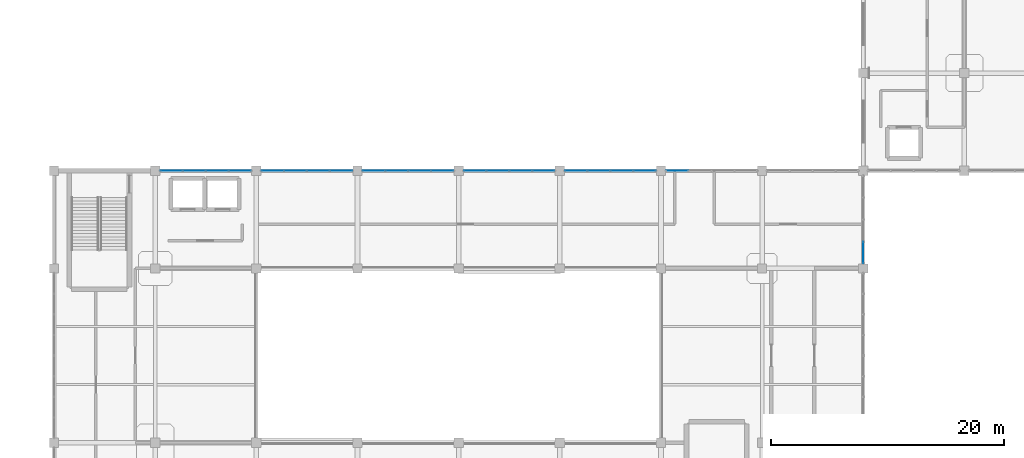
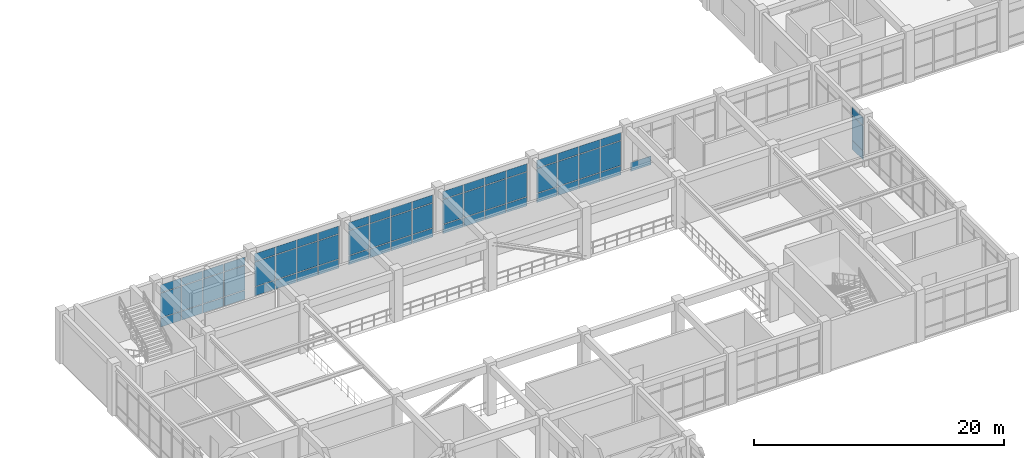
# One storey, part 73 of 96: 64 plates, 7 elements without a shape of their own.
"""IFC4 building model written with IfcOpenShell, lengths in metres."""

import ifcopenshell
import ifcopenshell.guid

model = None  # the IFC model being written
_history = None  # IfcOwnerHistory: only IFC2X3 demands one
_inside = {}  # id of a spatial element -> (the spatial element, [elements in it])
_under = {}  # id of a project, library or spatial element -> (it, [spatial elements below it])
_declared = {}  # id of a project -> (the project, [libraries it declares])
_typed = {}  # id of a type object -> (the type object, [elements of that type])
_made_of = {}  # id of a material, layer set ... -> (it, [elements and type objects made of it])


def new_model(schema):
    """Start an empty IFC model of exactly this schema.

    Asked for "IFC4X3", IfcOpenShell would pick the latest addendum, in which some entities
    have other attributes; the version numbers below select the first issue.
    IFC2X3 requires an IfcOwnerHistory on every rooted entity: one is made here for all.
    """
    global model, _history
    if schema == "IFC4X3":
        model = ifcopenshell.file(schema_version=(4, 3, 0, 0))
    else:
        model = ifcopenshell.file(schema=schema)
    _inside.clear()
    _under.clear()
    _declared.clear()
    _typed.clear()
    _made_of.clear()
    _history = None
    if model.schema == "IFC2X3":
        org = make("IfcOrganization", Name="unknown")
        user = make(
            "IfcPersonAndOrganization",
            ThePerson=make("IfcPerson", FamilyName="unknown"),
            TheOrganization=org,
        )
        app = make(
            "IfcApplication",
            ApplicationDeveloper=org,
            Version="unknown",
            ApplicationFullName="unknown",
            ApplicationIdentifier="unknown",
        )
        _history = make(
            "IfcOwnerHistory",
            OwningUser=user,
            OwningApplication=app,
            ChangeAction="ADDED",
            CreationDate=0,
        )
    return model


def make(cls, **values):
    """One entity of the class cls with the attributes given. An attribute that is None is left unset."""
    return model.create_entity(
        cls, **{name: value for name, value in values.items() if value is not None}
    )


def rooted(cls, **values):
    """An entity with a GlobalId (a new one), such as an element, a storey or a relation."""
    return make(cls, GlobalId=ifcopenshell.guid.new(), OwnerHistory=_history, **values)


def si_unit(unit_type, name, prefix=None):
    """IfcSIUnit, for example si_unit("LENGTHUNIT", "METRE", prefix="MILLI")."""
    return make("IfcSIUnit", UnitType=unit_type, Prefix=prefix, Name=name)


def derived_unit(unit_type, elements):
    """IfcDerivedUnit: a product of units, each with its exponent."""
    return make(
        "IfcDerivedUnit",
        Elements=[
            make("IfcDerivedUnitElement", Unit=unit, Exponent=power)
            for unit, power in elements
        ],
        UnitType=unit_type,
    )


def assignment(units):
    """IfcUnitAssignment: the units of a project."""
    return None if units is None else make("IfcUnitAssignment", Units=units)


def point(xyz):
    """IfcCartesianPoint."""
    return None if xyz is None else make("IfcCartesianPoint", Coordinates=xyz)


def direction(xyz):
    """IfcDirection."""
    return None if xyz is None else make("IfcDirection", DirectionRatios=xyz)


def frame(location, z_axis=None, x_axis=None):
    """IfcAxis2Placement3D, a coordinate frame: its origin and axes. An axis left out is left unset."""
    return make(
        "IfcAxis2Placement3D",
        Location=point(location),
        Axis=direction(z_axis),
        RefDirection=direction(x_axis),
    )


def frame_2d(location, x_axis=None):
    """IfcAxis2Placement2D, a coordinate frame in the plane: its origin and x axis."""
    return make(
        "IfcAxis2Placement2D", Location=point(location), RefDirection=direction(x_axis)
    )


def origin():
    """The frame at (0, 0, 0) with its axes left unset."""
    return frame((0.0, 0.0, 0.0))


def origin_2d():
    """The frame at (0, 0) in the plane with its x axis left unset."""
    return frame_2d((0.0, 0.0))


def place(relative_to, where):
    """IfcLocalPlacement: puts the frame where relative to a parent placement (None: the world)."""
    return make(
        "IfcLocalPlacement", PlacementRelTo=relative_to, RelativePlacement=where
    )


def context(
    kind, dimensions, precision=None, world=None, true_north=None, identifier=None
):
    """IfcGeometricRepresentationContext, for example the 3D "Model" context."""
    return make(
        "IfcGeometricRepresentationContext",
        ContextIdentifier=identifier,
        ContextType=kind,
        CoordinateSpaceDimension=dimensions,
        Precision=precision,
        WorldCoordinateSystem=world,
        TrueNorth=true_north,
    )


def subcontext(parent, identifier, kind, view, scale=None):
    """IfcGeometricRepresentationSubContext, for example "Body" below "Model"."""
    return make(
        "IfcGeometricRepresentationSubContext",
        ContextIdentifier=identifier,
        ContextType=kind,
        ParentContext=parent,
        TargetScale=scale,
        TargetView=view,
    )


def project(units=None, contexts=None):
    """IfcProject with its units and contexts."""
    return rooted(
        "IfcProject",
        Name="project",
        RepresentationContexts=contexts,
        UnitsInContext=assignment(units),
    )


def spatial(cls, under=None, at=None, **own):
    """A site, building, storey or space (cls), placed at a placement, below another one or the project."""
    s = rooted(cls, ObjectPlacement=at, **own)
    if under is not None:
        _under.setdefault(under.id(), (under, []))[1].append(s)
    return s


def profile(cls, at=None, kind="AREA", **sizes):
    """A parametric profile (cls). Its sizes go by their IFC names, for example OverallWidth=200.0."""
    return make(cls, ProfileType=kind, Position=at, **sizes)


def rectangle(**sizes):
    """IfcRectangleProfileDef."""
    return profile("IfcRectangleProfileDef", **sizes)


def extrude(swept, where, along, depth):
    """IfcExtrudedAreaSolid: the profile swept, set in the frame where, extruded along a direction by depth."""
    return make(
        "IfcExtrudedAreaSolid",
        SweptArea=swept,
        Position=where,
        ExtrudedDirection=direction(along),
        Depth=depth,
    )


def shape(context_of_items, identifier, shape_type, items):
    """IfcShapeRepresentation: the items that make up one representation, for example the "Body"."""
    return make(
        "IfcShapeRepresentation",
        ContextOfItems=context_of_items,
        RepresentationIdentifier=identifier,
        RepresentationType=shape_type,
        Items=items,
    )


def material(Name=None, Category=None):
    """IfcMaterial."""
    return make("IfcMaterial", Name=Name, Category=Category)


def layer(
    of_material, thickness, ventilated=None, Name=None, Category=None, Priority=None
):
    """IfcMaterialLayer: one layer of a wall or slab, of a material (None: an air gap)."""
    return make(
        "IfcMaterialLayer",
        Material=of_material,
        LayerThickness=thickness,
        IsVentilated=ventilated,
        Name=Name,
        Category=Category,
        Priority=Priority,
    )


def layer_set(layers, Name=None):
    """IfcMaterialLayerSet."""
    return make("IfcMaterialLayerSet", MaterialLayers=layers, LayerSetName=Name)


def made_of(thing, what):
    """Note that an element or type object is made of a material, layer set ...; save() writes the relation."""
    if what is not None:
        _made_of.setdefault(what.id(), (what, []))[1].append(thing)
    return thing


def type_object(cls, material=None, **own):
    """A type object (cls), such as IfcWallType, which elements share."""
    return made_of(rooted(cls, **own), material)


def element(
    cls,
    number,
    at=None,
    inside=None,
    cuts=None,
    type_object=None,
    material=None,
    context=None,
    identifier="Body",
    shape_type=None,
    held_by="IfcProductDefinitionShape",
    body=None,
    shapes=None,
    **own,
):
    """One element of the class cls, such as IfcWall. Its Tag is "e" and its number.

    at: its placement. inside: the storey or other place that contains it. cuts: it is an
    opening in that element (IfcRelVoidsElement). A single representation is given by context,
    identifier, shape_type and body (its items); several are given by shapes. held_by: the class
    of the entity that holds the representations. save() writes the other relations.
    """
    e = rooted(cls, Tag="e%d" % number, ObjectPlacement=at, **own)
    if body is not None:
        shapes = [shape(context, identifier, shape_type, body)]
    if shapes is not None:
        e.Representation = make(held_by, Representations=shapes)
    if inside is not None:
        _inside.setdefault(inside.id(), (inside, []))[1].append(e)
    if cuts is not None:
        rooted(
            "IfcRelVoidsElement", RelatingBuildingElement=cuts, RelatedOpeningElement=e
        )
    if type_object is not None:
        _typed.setdefault(type_object.id(), (type_object, []))[1].append(e)
    return made_of(e, material)


def aggregate(whole, parts):
    """IfcRelAggregates: a whole, such as a stair, and the parts it consists of."""
    return rooted("IfcRelAggregates", RelatingObject=whole, RelatedObjects=parts)


def save(model, path):
    """Write the relations noted so far, then the file.

    IfcRelAggregates (storeys below a building ...), IfcRelContainedInSpatialStructure (elements
    in a storey), IfcRelDefinesByType, IfcRelAssociatesMaterial and IfcRelDeclares: one each for
    every whole, place, type object, material and project.
    """
    for whole, parts in _under.values():
        aggregate(whole, parts)
    for where, things in _inside.values():
        rooted(
            "IfcRelContainedInSpatialStructure",
            RelatedElements=things,
            RelatingStructure=where,
        )
    for kind, things in _typed.values():
        rooted("IfcRelDefinesByType", RelatedObjects=things, RelatingType=kind)
    for what, things in _made_of.values():
        rooted("IfcRelAssociatesMaterial", RelatedObjects=things, RelatingMaterial=what)
    for by, libraries in _declared.values():
        rooted("IfcRelDeclares", RelatingContext=by, RelatedDefinitions=libraries)
    model.write(path)


model = new_model("IFC4")

# Units and contexts
model_context = context("Model", 3, precision=1e-05, world=origin(), true_north=direction((0.0, 1.0)))
body_context = subcontext(model_context, "Body", "Model", "MODEL_VIEW")
ifc_project = project(units=[si_unit("LENGTHUNIT", "METRE"), si_unit("AREAUNIT", "SQUARE_METRE"), si_unit("VOLUMEUNIT", "CUBIC_METRE"), si_unit("PLANEANGLEUNIT", "RADIAN"), si_unit("MASSUNIT", "GRAM", prefix="KILO"), derived_unit("THERMALTRANSMITTANCEUNIT", [(si_unit("MASSUNIT", "GRAM", prefix="KILO"), 1), (si_unit("TIMEUNIT", "SECOND"), -3), (si_unit("THERMODYNAMICTEMPERATUREUNIT", "KELVIN"), -1)])], contexts=[model_context])

# Site, building, storey
site_placement = place(None, origin())
site = spatial("IfcSite", under=ifc_project, at=site_placement, CompositionType="ELEMENT")
building_placement = place(site_placement, origin())
building = spatial("IfcBuilding", under=site, at=building_placement, Name="Qinzheling Arcade Emporium", CompositionType="ELEMENT")
storey_placement = place(building_placement, frame((0.0, 0.0, 21.60009765625)))
storey = spatial("IfcBuildingStorey", under=building, at=storey_placement, Name="L05", CompositionType="ELEMENT", Elevation=21.60009765625)

# Curtain wall, plates
ifc_material_1 = material(Name="Anodised aluminium and solar-control double glazing", Category="aluminium")
ifc_layer_1 = layer(ifc_material_1, 0.159912109375, Name="Anodised aluminium and solar-control double glazing", Category="aluminium")
ifc_layer_set_1 = layer_set([ifc_layer_1], Name="Anodised aluminium and solar-control double glazing")
curtain_wall_type = type_object("IfcCurtainWallType", Name="Atrium Clerestory Curtain Wall", PredefinedType="NOTDEFINED", material=ifc_layer_set_1)
curtain_wall_1_placement = place(storey_placement, origin())
curtain_wall_1 = element("IfcCurtainWall", 1, at=curtain_wall_1_placement, inside=storey, type_object=curtain_wall_type, Name="Curtain Wall CW-L05-319", PredefinedType="NOTDEFINED")
ifc_material_2 = material(Name="Laminated solar-control double glazing", Category="glass")
ifc_layer_2 = layer(ifc_material_2, 0.02490234375, Name="Laminated solar-control double glazing", Category="glass")
ifc_layer_set_2 = layer_set([ifc_layer_2], Name="Laminated solar-control double glazing")
plate_type_1 = type_object("IfcPlateType", Name="Low-E Double Glazed Curtain Panel 25mm", PredefinedType="CURTAIN_PANEL", material=ifc_layer_set_2)
plate_1_placement = place(storey_placement, frame((44.904052734375, 73.800048828125, 0.06005859375), z_axis=(0.0, 0.0, 1.0), x_axis=(1.0, 0.0, 0.0)))
plate_1 = element("IfcPlate", 2, at=plate_1_placement, type_object=plate_type_1, Name="CW03 panel 1.1", PredefinedType="CURTAIN_PANEL", context=body_context, shape_type="SweptSolid", body=[
    extrude(rectangle(XDim=1.884033203125, YDim=0.02490234375, at=origin_2d()), origin(), (0.0, 0.0, 1.0), 0.860107421875),
])
plate_2_placement = place(storey_placement, frame((44.904052734375, 73.800048828125, 0.97998046875), z_axis=(0.0, 0.0, 1.0), x_axis=(1.0, 0.0, 0.0)))
plate_2 = element("IfcPlate", 3, at=plate_2_placement, type_object=plate_type_1, Name="CW03 panel 1.2", PredefinedType="CURTAIN_PANEL", context=body_context, shape_type="SweptSolid", body=[
    extrude(rectangle(XDim=1.884033203125, YDim=0.02490234375, at=origin_2d()), origin(), (0.0, 0.0, 1.0), 2.39501953125),
])
plate_3_placement = place(storey_placement, frame((44.904052734375, 73.800048828125, 3.43505859375), z_axis=(0.0, 0.0, 1.0), x_axis=(1.0, 0.0, 0.0)))
plate_3 = element("IfcPlate", 4, at=plate_3_placement, type_object=plate_type_1, Name="CW03 panel 1.3", PredefinedType="CURTAIN_PANEL", context=body_context, shape_type="SweptSolid", body=[
    extrude(rectangle(XDim=1.884033203125, YDim=0.02490234375, at=origin_2d()), origin(), (0.0, 0.0, 1.0), 0.760009765625),
])
plate_4_placement = place(storey_placement, frame((46.863037109375, 73.800048828125, 0.06005859375), z_axis=(0.0, 0.0, 1.0), x_axis=(1.0, 0.0, 0.0)))
plate_4 = element("IfcPlate", 5, at=plate_4_placement, type_object=plate_type_1, Name="CW03 panel 2.1", PredefinedType="CURTAIN_PANEL", context=body_context, shape_type="SweptSolid", body=[
    extrude(rectangle(XDim=1.9140625, YDim=0.02490234375, at=origin_2d()), origin(), (0.0, 0.0, 1.0), 0.860107421875),
])
plate_5_placement = place(storey_placement, frame((46.863037109375, 73.800048828125, 0.97998046875), z_axis=(0.0, 0.0, 1.0), x_axis=(1.0, 0.0, 0.0)))
plate_5 = element("IfcPlate", 6, at=plate_5_placement, type_object=plate_type_1, Name="CW03 panel 2.2", PredefinedType="CURTAIN_PANEL", context=body_context, shape_type="SweptSolid", body=[
    extrude(rectangle(XDim=1.9140625, YDim=0.02490234375, at=origin_2d()), origin(), (0.0, 0.0, 1.0), 2.39501953125),
])
plate_6_placement = place(storey_placement, frame((46.863037109375, 73.800048828125, 3.43505859375), z_axis=(0.0, 0.0, 1.0), x_axis=(1.0, 0.0, 0.0)))
plate_6 = element("IfcPlate", 7, at=plate_6_placement, type_object=plate_type_1, Name="CW03 panel 2.3", PredefinedType="CURTAIN_PANEL", context=body_context, shape_type="SweptSolid", body=[
    extrude(rectangle(XDim=1.9140625, YDim=0.02490234375, at=origin_2d()), origin(), (0.0, 0.0, 1.0), 0.760009765625),
])
plate_7_placement = place(storey_placement, frame((48.8369140625, 73.800048828125, 0.06005859375), z_axis=(0.0, 0.0, 1.0), x_axis=(1.0, 0.0, 0.0)))
plate_7 = element("IfcPlate", 8, at=plate_7_placement, type_object=plate_type_1, Name="CW03 panel 3.1", PredefinedType="CURTAIN_PANEL", context=body_context, shape_type="SweptSolid", body=[
    extrude(rectangle(XDim=1.9140625, YDim=0.02490234375, at=origin_2d()), origin(), (0.0, 0.0, 1.0), 0.860107421875),
])
plate_8_placement = place(storey_placement, frame((48.8369140625, 73.800048828125, 0.97998046875), z_axis=(0.0, 0.0, 1.0), x_axis=(1.0, 0.0, 0.0)))
plate_8 = element("IfcPlate", 9, at=plate_8_placement, type_object=plate_type_1, Name="CW03 panel 3.2", PredefinedType="CURTAIN_PANEL", context=body_context, shape_type="SweptSolid", body=[
    extrude(rectangle(XDim=1.9140625, YDim=0.02490234375, at=origin_2d()), origin(), (0.0, 0.0, 1.0), 2.39501953125),
])
plate_9_placement = place(storey_placement, frame((48.8369140625, 73.800048828125, 3.43505859375), z_axis=(0.0, 0.0, 1.0), x_axis=(1.0, 0.0, 0.0)))
plate_9 = element("IfcPlate", 10, at=plate_9_placement, type_object=plate_type_1, Name="CW03 panel 3.3", PredefinedType="CURTAIN_PANEL", context=body_context, shape_type="SweptSolid", body=[
    extrude(rectangle(XDim=1.9140625, YDim=0.02490234375, at=origin_2d()), origin(), (0.0, 0.0, 1.0), 0.760009765625),
])
plate_10_placement = place(storey_placement, frame((50.7958984375, 73.800048828125, 0.06005859375), z_axis=(0.0, 0.0, 1.0), x_axis=(1.0, 0.0, 0.0)))
plate_10 = element("IfcPlate", 11, at=plate_10_placement, type_object=plate_type_1, Name="CW03 panel 4.1", PredefinedType="CURTAIN_PANEL", context=body_context, shape_type="SweptSolid", body=[
    extrude(rectangle(XDim=1.884033203125, YDim=0.02490234375, at=origin_2d()), origin(), (0.0, 0.0, 1.0), 0.860107421875),
])
plate_11_placement = place(storey_placement, frame((50.7958984375, 73.800048828125, 0.97998046875), z_axis=(0.0, 0.0, 1.0), x_axis=(1.0, 0.0, 0.0)))
plate_11 = element("IfcPlate", 12, at=plate_11_placement, type_object=plate_type_1, Name="CW03 panel 4.2", PredefinedType="CURTAIN_PANEL", context=body_context, shape_type="SweptSolid", body=[
    extrude(rectangle(XDim=1.884033203125, YDim=0.02490234375, at=origin_2d()), origin(), (0.0, 0.0, 1.0), 2.39501953125),
])
plate_12_placement = place(storey_placement, frame((50.7958984375, 73.800048828125, 3.43505859375), z_axis=(0.0, 0.0, 1.0), x_axis=(1.0, 0.0, 0.0)))
plate_12 = element("IfcPlate", 13, at=plate_12_placement, type_object=plate_type_1, Name="CW03 panel 4.3", PredefinedType="CURTAIN_PANEL", context=body_context, shape_type="SweptSolid", body=[
    extrude(rectangle(XDim=1.884033203125, YDim=0.02490234375, at=origin_2d()), origin(), (0.0, 0.0, 1.0), 0.760009765625),
])
aggregate(curtain_wall_1, [plate_1, plate_2, plate_3, plate_4, plate_5, plate_6, plate_7, plate_8, plate_9, plate_10, plate_11, plate_12])

curtain_wall_2_placement = place(storey_placement, origin())
curtain_wall_2 = element("IfcCurtainWall", 14, at=curtain_wall_2_placement, inside=storey, type_object=curtain_wall_type, Name="Curtain Wall CW-L05-320", PredefinedType="NOTDEFINED")
ifc_layer_3 = layer(ifc_material_2, 0.02587890625, Name="Laminated solar-control double glazing", Category="glass")
ifc_layer_set_3 = layer_set([ifc_layer_3], Name="Laminated solar-control double glazing")
plate_type_2 = type_object("IfcPlateType", Name="Low-E Double Glazed Curtain Panel 26mm", PredefinedType="CURTAIN_PANEL", material=ifc_layer_set_3)
plate_13_placement = place(storey_placement, frame((53.60400390625, 73.800048828125, 0.06005859375), z_axis=(0.0, 0.0, 1.0), x_axis=(1.0, 0.0, 0.0)))
plate_13 = element("IfcPlate", 15, at=plate_13_placement, type_object=plate_type_2, Name="CW03 panel 1.1", PredefinedType="CURTAIN_PANEL", context=body_context, shape_type="SweptSolid", body=[
    extrude(rectangle(XDim=1.884033203125, YDim=0.02587890625, at=origin_2d()), origin(), (0.0, 0.0, 1.0), 0.860107421875),
])
plate_14_placement = place(storey_placement, frame((53.60400390625, 73.800048828125, 0.97998046875), z_axis=(0.0, 0.0, 1.0), x_axis=(1.0, 0.0, 0.0)))
plate_14 = element("IfcPlate", 16, at=plate_14_placement, type_object=plate_type_2, Name="CW03 panel 1.2", PredefinedType="CURTAIN_PANEL", context=body_context, shape_type="SweptSolid", body=[
    extrude(rectangle(XDim=1.884033203125, YDim=0.02587890625, at=origin_2d()), origin(), (0.0, 0.0, 1.0), 2.39501953125),
])
plate_15_placement = place(storey_placement, frame((53.60400390625, 73.800048828125, 3.43505859375), z_axis=(0.0, 0.0, 1.0), x_axis=(1.0, 0.0, 0.0)))
plate_15 = element("IfcPlate", 17, at=plate_15_placement, type_object=plate_type_2, Name="CW03 panel 1.3", PredefinedType="CURTAIN_PANEL", context=body_context, shape_type="SweptSolid", body=[
    extrude(rectangle(XDim=1.884033203125, YDim=0.02587890625, at=origin_2d()), origin(), (0.0, 0.0, 1.0), 0.760009765625),
])
plate_16_placement = place(storey_placement, frame((55.56298828125, 73.800048828125, 0.06005859375), z_axis=(0.0, 0.0, 1.0), x_axis=(1.0, 0.0, 0.0)))
plate_16 = element("IfcPlate", 18, at=plate_16_placement, type_object=plate_type_2, Name="CW03 panel 2.1", PredefinedType="CURTAIN_PANEL", context=body_context, shape_type="SweptSolid", body=[
    extrude(rectangle(XDim=1.9140625, YDim=0.02587890625, at=origin_2d()), origin(), (0.0, 0.0, 1.0), 0.860107421875),
])
plate_17_placement = place(storey_placement, frame((55.56298828125, 73.800048828125, 0.97998046875), z_axis=(0.0, 0.0, 1.0), x_axis=(1.0, 0.0, 0.0)))
plate_17 = element("IfcPlate", 19, at=plate_17_placement, type_object=plate_type_2, Name="CW03 panel 2.2", PredefinedType="CURTAIN_PANEL", context=body_context, shape_type="SweptSolid", body=[
    extrude(rectangle(XDim=1.9140625, YDim=0.02587890625, at=origin_2d()), origin(), (0.0, 0.0, 1.0), 2.39501953125),
])
plate_18_placement = place(storey_placement, frame((55.56298828125, 73.800048828125, 3.43505859375), z_axis=(0.0, 0.0, 1.0), x_axis=(1.0, 0.0, 0.0)))
plate_18 = element("IfcPlate", 20, at=plate_18_placement, type_object=plate_type_2, Name="CW03 panel 2.3", PredefinedType="CURTAIN_PANEL", context=body_context, shape_type="SweptSolid", body=[
    extrude(rectangle(XDim=1.9140625, YDim=0.02587890625, at=origin_2d()), origin(), (0.0, 0.0, 1.0), 0.760009765625),
])
plate_19_placement = place(storey_placement, frame((57.537109375, 73.800048828125, 0.06005859375), z_axis=(0.0, 0.0, 1.0), x_axis=(1.0, 0.0, 0.0)))
plate_19 = element("IfcPlate", 21, at=plate_19_placement, type_object=plate_type_2, Name="CW03 panel 3.1", PredefinedType="CURTAIN_PANEL", context=body_context, shape_type="SweptSolid", body=[
    extrude(rectangle(XDim=1.9140625, YDim=0.02587890625, at=origin_2d()), origin(), (0.0, 0.0, 1.0), 0.860107421875),
])
plate_20_placement = place(storey_placement, frame((57.537109375, 73.800048828125, 0.97998046875), z_axis=(0.0, 0.0, 1.0), x_axis=(1.0, 0.0, 0.0)))
plate_20 = element("IfcPlate", 22, at=plate_20_placement, type_object=plate_type_2, Name="CW03 panel 3.2", PredefinedType="CURTAIN_PANEL", context=body_context, shape_type="SweptSolid", body=[
    extrude(rectangle(XDim=1.9140625, YDim=0.02587890625, at=origin_2d()), origin(), (0.0, 0.0, 1.0), 2.39501953125),
])
plate_21_placement = place(storey_placement, frame((57.537109375, 73.800048828125, 3.43505859375), z_axis=(0.0, 0.0, 1.0), x_axis=(1.0, 0.0, 0.0)))
plate_21 = element("IfcPlate", 23, at=plate_21_placement, type_object=plate_type_2, Name="CW03 panel 3.3", PredefinedType="CURTAIN_PANEL", context=body_context, shape_type="SweptSolid", body=[
    extrude(rectangle(XDim=1.9140625, YDim=0.02587890625, at=origin_2d()), origin(), (0.0, 0.0, 1.0), 0.760009765625),
])
plate_22_placement = place(storey_placement, frame((59.49609375, 73.800048828125, 0.06005859375), z_axis=(0.0, 0.0, 1.0), x_axis=(1.0, 0.0, 0.0)))
plate_22 = element("IfcPlate", 24, at=plate_22_placement, type_object=plate_type_2, Name="CW03 panel 4.1", PredefinedType="CURTAIN_PANEL", context=body_context, shape_type="SweptSolid", body=[
    extrude(rectangle(XDim=1.884033203125, YDim=0.02587890625, at=origin_2d()), origin(), (0.0, 0.0, 1.0), 0.860107421875),
])
plate_23_placement = place(storey_placement, frame((59.49609375, 73.800048828125, 0.97998046875), z_axis=(0.0, 0.0, 1.0), x_axis=(1.0, 0.0, 0.0)))
plate_23 = element("IfcPlate", 25, at=plate_23_placement, type_object=plate_type_2, Name="CW03 panel 4.2", PredefinedType="CURTAIN_PANEL", context=body_context, shape_type="SweptSolid", body=[
    extrude(rectangle(XDim=1.884033203125, YDim=0.02587890625, at=origin_2d()), origin(), (0.0, 0.0, 1.0), 2.39501953125),
])
plate_24_placement = place(storey_placement, frame((59.49609375, 73.800048828125, 3.43505859375), z_axis=(0.0, 0.0, 1.0), x_axis=(1.0, 0.0, 0.0)))
plate_24 = element("IfcPlate", 26, at=plate_24_placement, type_object=plate_type_2, Name="CW03 panel 4.3", PredefinedType="CURTAIN_PANEL", context=body_context, shape_type="SweptSolid", body=[
    extrude(rectangle(XDim=1.884033203125, YDim=0.02587890625, at=origin_2d()), origin(), (0.0, 0.0, 1.0), 0.760009765625),
])
aggregate(curtain_wall_2, [plate_13, plate_14, plate_15, plate_16, plate_17, plate_18, plate_19, plate_20, plate_21, plate_22, plate_23, plate_24])

curtain_wall_3_placement = place(storey_placement, origin())
curtain_wall_3 = element("IfcCurtainWall", 27, at=curtain_wall_3_placement, inside=storey, type_object=curtain_wall_type, Name="Curtain Wall CW-L05-321", PredefinedType="NOTDEFINED")
ifc_layer_4 = layer(ifc_material_2, 0.027099609375, Name="Laminated solar-control double glazing", Category="glass")
ifc_layer_set_4 = layer_set([ifc_layer_4], Name="Laminated solar-control double glazing")
plate_type_3 = type_object("IfcPlateType", Name="Low-E Double Glazed Curtain Panel 27mm", PredefinedType="CURTAIN_PANEL", material=ifc_layer_set_4)
plate_25_placement = place(storey_placement, frame((62.303955078125, 73.800048828125, 0.06005859375), z_axis=(0.0, 0.0, 1.0), x_axis=(1.0, 0.0, 0.0)))
plate_25 = element("IfcPlate", 28, at=plate_25_placement, type_object=plate_type_3, Name="CW03 panel 1.1", PredefinedType="CURTAIN_PANEL", context=body_context, shape_type="SweptSolid", body=[
    extrude(rectangle(XDim=1.884033203125, YDim=0.027099609375, at=origin_2d()), origin(), (0.0, 0.0, 1.0), 0.860107421875),
])
plate_26_placement = place(storey_placement, frame((62.303955078125, 73.800048828125, 0.97998046875), z_axis=(0.0, 0.0, 1.0), x_axis=(1.0, 0.0, 0.0)))
plate_26 = element("IfcPlate", 29, at=plate_26_placement, type_object=plate_type_3, Name="CW03 panel 1.2", PredefinedType="CURTAIN_PANEL", context=body_context, shape_type="SweptSolid", body=[
    extrude(rectangle(XDim=1.884033203125, YDim=0.027099609375, at=origin_2d()), origin(), (0.0, 0.0, 1.0), 2.39501953125),
])
plate_27_placement = place(storey_placement, frame((62.303955078125, 73.800048828125, 3.43505859375), z_axis=(0.0, 0.0, 1.0), x_axis=(1.0, 0.0, 0.0)))
plate_27 = element("IfcPlate", 30, at=plate_27_placement, type_object=plate_type_3, Name="CW03 panel 1.3", PredefinedType="CURTAIN_PANEL", context=body_context, shape_type="SweptSolid", body=[
    extrude(rectangle(XDim=1.884033203125, YDim=0.027099609375, at=origin_2d()), origin(), (0.0, 0.0, 1.0), 0.760009765625),
])
plate_28_placement = place(storey_placement, frame((64.262939453125, 73.800048828125, 0.06005859375), z_axis=(0.0, 0.0, 1.0), x_axis=(1.0, 0.0, 0.0)))
plate_28 = element("IfcPlate", 31, at=plate_28_placement, type_object=plate_type_3, Name="CW03 panel 2.1", PredefinedType="CURTAIN_PANEL", context=body_context, shape_type="SweptSolid", body=[
    extrude(rectangle(XDim=1.9140625, YDim=0.027099609375, at=origin_2d()), origin(), (0.0, 0.0, 1.0), 0.860107421875),
])
plate_29_placement = place(storey_placement, frame((64.262939453125, 73.800048828125, 0.97998046875), z_axis=(0.0, 0.0, 1.0), x_axis=(1.0, 0.0, 0.0)))
plate_29 = element("IfcPlate", 32, at=plate_29_placement, type_object=plate_type_3, Name="CW03 panel 2.2", PredefinedType="CURTAIN_PANEL", context=body_context, shape_type="SweptSolid", body=[
    extrude(rectangle(XDim=1.9140625, YDim=0.027099609375, at=origin_2d()), origin(), (0.0, 0.0, 1.0), 2.39501953125),
])
plate_30_placement = place(storey_placement, frame((64.262939453125, 73.800048828125, 3.43505859375), z_axis=(0.0, 0.0, 1.0), x_axis=(1.0, 0.0, 0.0)))
plate_30 = element("IfcPlate", 33, at=plate_30_placement, type_object=plate_type_3, Name="CW03 panel 2.3", PredefinedType="CURTAIN_PANEL", context=body_context, shape_type="SweptSolid", body=[
    extrude(rectangle(XDim=1.9140625, YDim=0.027099609375, at=origin_2d()), origin(), (0.0, 0.0, 1.0), 0.760009765625),
])
plate_31_placement = place(storey_placement, frame((66.237060546875, 73.800048828125, 0.06005859375), z_axis=(0.0, 0.0, 1.0), x_axis=(1.0, 0.0, 0.0)))
plate_31 = element("IfcPlate", 34, at=plate_31_placement, type_object=plate_type_3, Name="CW03 panel 3.1", PredefinedType="CURTAIN_PANEL", context=body_context, shape_type="SweptSolid", body=[
    extrude(rectangle(XDim=1.9140625, YDim=0.027099609375, at=origin_2d()), origin(), (0.0, 0.0, 1.0), 0.860107421875),
])
plate_32_placement = place(storey_placement, frame((66.237060546875, 73.800048828125, 0.97998046875), z_axis=(0.0, 0.0, 1.0), x_axis=(1.0, 0.0, 0.0)))
plate_32 = element("IfcPlate", 35, at=plate_32_placement, type_object=plate_type_3, Name="CW03 panel 3.2", PredefinedType="CURTAIN_PANEL", context=body_context, shape_type="SweptSolid", body=[
    extrude(rectangle(XDim=1.9140625, YDim=0.027099609375, at=origin_2d()), origin(), (0.0, 0.0, 1.0), 2.39501953125),
])
plate_33_placement = place(storey_placement, frame((66.237060546875, 73.800048828125, 3.43505859375), z_axis=(0.0, 0.0, 1.0), x_axis=(1.0, 0.0, 0.0)))
plate_33 = element("IfcPlate", 36, at=plate_33_placement, type_object=plate_type_3, Name="CW03 panel 3.3", PredefinedType="CURTAIN_PANEL", context=body_context, shape_type="SweptSolid", body=[
    extrude(rectangle(XDim=1.9140625, YDim=0.027099609375, at=origin_2d()), origin(), (0.0, 0.0, 1.0), 0.760009765625),
])
plate_34_placement = place(storey_placement, frame((68.196044921875, 73.800048828125, 0.06005859375), z_axis=(0.0, 0.0, 1.0), x_axis=(1.0, 0.0, 0.0)))
plate_34 = element("IfcPlate", 37, at=plate_34_placement, type_object=plate_type_3, Name="CW03 panel 4.1", PredefinedType="CURTAIN_PANEL", context=body_context, shape_type="SweptSolid", body=[
    extrude(rectangle(XDim=1.884033203125, YDim=0.027099609375, at=origin_2d()), origin(), (0.0, 0.0, 1.0), 0.860107421875),
])
plate_35_placement = place(storey_placement, frame((68.196044921875, 73.800048828125, 0.97998046875), z_axis=(0.0, 0.0, 1.0), x_axis=(1.0, 0.0, 0.0)))
plate_35 = element("IfcPlate", 38, at=plate_35_placement, type_object=plate_type_3, Name="CW03 panel 4.2", PredefinedType="CURTAIN_PANEL", context=body_context, shape_type="SweptSolid", body=[
    extrude(rectangle(XDim=1.884033203125, YDim=0.027099609375, at=origin_2d()), origin(), (0.0, 0.0, 1.0), 2.39501953125),
])
plate_36_placement = place(storey_placement, frame((68.196044921875, 73.800048828125, 3.43505859375), z_axis=(0.0, 0.0, 1.0), x_axis=(1.0, 0.0, 0.0)))
plate_36 = element("IfcPlate", 39, at=plate_36_placement, type_object=plate_type_3, Name="CW03 panel 4.3", PredefinedType="CURTAIN_PANEL", context=body_context, shape_type="SweptSolid", body=[
    extrude(rectangle(XDim=1.884033203125, YDim=0.027099609375, at=origin_2d()), origin(), (0.0, 0.0, 1.0), 0.760009765625),
])
aggregate(curtain_wall_3, [plate_25, plate_26, plate_27, plate_28, plate_29, plate_30, plate_31, plate_32, plate_33, plate_34, plate_35, plate_36])

curtain_wall_4_placement = place(storey_placement, origin())
curtain_wall_4 = element("IfcCurtainWall", 40, at=curtain_wall_4_placement, inside=storey, type_object=curtain_wall_type, Name="Curtain Wall CW-L05-322", PredefinedType="NOTDEFINED")
ifc_layer_5 = layer(ifc_material_2, 0.028076171875, Name="Laminated solar-control double glazing", Category="glass")
ifc_layer_set_5 = layer_set([ifc_layer_5], Name="Laminated solar-control double glazing")
plate_type_4 = type_object("IfcPlateType", Name="Low-E Double Glazed Curtain Panel 28mm", PredefinedType="CURTAIN_PANEL", material=ifc_layer_set_5)
plate_37_placement = place(storey_placement, frame((71.00390625, 73.800048828125, 0.06005859375), z_axis=(0.0, 0.0, 1.0), x_axis=(1.0, 0.0, 0.0)))
plate_37 = element("IfcPlate", 41, at=plate_37_placement, type_object=plate_type_4, Name="CW03 panel 1.1", PredefinedType="CURTAIN_PANEL", context=body_context, shape_type="SweptSolid", body=[
    extrude(rectangle(XDim=1.884033203125, YDim=0.028076171875, at=origin_2d()), origin(), (0.0, 0.0, 1.0), 0.860107421875),
])
plate_38_placement = place(storey_placement, frame((71.00390625, 73.800048828125, 0.97998046875), z_axis=(0.0, 0.0, 1.0), x_axis=(1.0, 0.0, 0.0)))
plate_38 = element("IfcPlate", 42, at=plate_38_placement, type_object=plate_type_4, Name="CW03 panel 1.2", PredefinedType="CURTAIN_PANEL", context=body_context, shape_type="SweptSolid", body=[
    extrude(rectangle(XDim=1.884033203125, YDim=0.028076171875, at=origin_2d()), origin(), (0.0, 0.0, 1.0), 2.39501953125),
])
plate_39_placement = place(storey_placement, frame((71.00390625, 73.800048828125, 3.43505859375), z_axis=(0.0, 0.0, 1.0), x_axis=(1.0, 0.0, 0.0)))
plate_39 = element("IfcPlate", 43, at=plate_39_placement, type_object=plate_type_4, Name="CW03 panel 1.3", PredefinedType="CURTAIN_PANEL", context=body_context, shape_type="SweptSolid", body=[
    extrude(rectangle(XDim=1.884033203125, YDim=0.028076171875, at=origin_2d()), origin(), (0.0, 0.0, 1.0), 0.760009765625),
])
plate_40_placement = place(storey_placement, frame((72.962890625, 73.800048828125, 0.06005859375), z_axis=(0.0, 0.0, 1.0), x_axis=(1.0, 0.0, 0.0)))
plate_40 = element("IfcPlate", 44, at=plate_40_placement, type_object=plate_type_4, Name="CW03 panel 2.1", PredefinedType="CURTAIN_PANEL", context=body_context, shape_type="SweptSolid", body=[
    extrude(rectangle(XDim=1.9140625, YDim=0.028076171875, at=origin_2d()), origin(), (0.0, 0.0, 1.0), 0.860107421875),
])
plate_41_placement = place(storey_placement, frame((72.962890625, 73.800048828125, 0.97998046875), z_axis=(0.0, 0.0, 1.0), x_axis=(1.0, 0.0, 0.0)))
plate_41 = element("IfcPlate", 45, at=plate_41_placement, type_object=plate_type_4, Name="CW03 panel 2.2", PredefinedType="CURTAIN_PANEL", context=body_context, shape_type="SweptSolid", body=[
    extrude(rectangle(XDim=1.9140625, YDim=0.028076171875, at=origin_2d()), origin(), (0.0, 0.0, 1.0), 2.39501953125),
])
plate_42_placement = place(storey_placement, frame((72.962890625, 73.800048828125, 3.43505859375), z_axis=(0.0, 0.0, 1.0), x_axis=(1.0, 0.0, 0.0)))
plate_42 = element("IfcPlate", 46, at=plate_42_placement, type_object=plate_type_4, Name="CW03 panel 2.3", PredefinedType="CURTAIN_PANEL", context=body_context, shape_type="SweptSolid", body=[
    extrude(rectangle(XDim=1.9140625, YDim=0.028076171875, at=origin_2d()), origin(), (0.0, 0.0, 1.0), 0.760009765625),
])
plate_43_placement = place(storey_placement, frame((74.93701171875, 73.800048828125, 0.06005859375), z_axis=(0.0, 0.0, 1.0), x_axis=(1.0, 0.0, 0.0)))
plate_43 = element("IfcPlate", 47, at=plate_43_placement, type_object=plate_type_4, Name="CW03 panel 3.1", PredefinedType="CURTAIN_PANEL", context=body_context, shape_type="SweptSolid", body=[
    extrude(rectangle(XDim=1.9140625, YDim=0.028076171875, at=origin_2d()), origin(), (0.0, 0.0, 1.0), 0.860107421875),
])
plate_44_placement = place(storey_placement, frame((74.93701171875, 73.800048828125, 0.97998046875), z_axis=(0.0, 0.0, 1.0), x_axis=(1.0, 0.0, 0.0)))
plate_44 = element("IfcPlate", 48, at=plate_44_placement, type_object=plate_type_4, Name="CW03 panel 3.2", PredefinedType="CURTAIN_PANEL", context=body_context, shape_type="SweptSolid", body=[
    extrude(rectangle(XDim=1.9140625, YDim=0.028076171875, at=origin_2d()), origin(), (0.0, 0.0, 1.0), 2.39501953125),
])
plate_45_placement = place(storey_placement, frame((74.93701171875, 73.800048828125, 3.43505859375), z_axis=(0.0, 0.0, 1.0), x_axis=(1.0, 0.0, 0.0)))
plate_45 = element("IfcPlate", 49, at=plate_45_placement, type_object=plate_type_4, Name="CW03 panel 3.3", PredefinedType="CURTAIN_PANEL", context=body_context, shape_type="SweptSolid", body=[
    extrude(rectangle(XDim=1.9140625, YDim=0.028076171875, at=origin_2d()), origin(), (0.0, 0.0, 1.0), 0.760009765625),
])
plate_46_placement = place(storey_placement, frame((76.89599609375, 73.800048828125, 0.06005859375), z_axis=(0.0, 0.0, 1.0), x_axis=(1.0, 0.0, 0.0)))
plate_46 = element("IfcPlate", 50, at=plate_46_placement, type_object=plate_type_4, Name="CW03 panel 4.1", PredefinedType="CURTAIN_PANEL", context=body_context, shape_type="SweptSolid", body=[
    extrude(rectangle(XDim=1.884033203125, YDim=0.028076171875, at=origin_2d()), origin(), (0.0, 0.0, 1.0), 0.860107421875),
])
plate_47_placement = place(storey_placement, frame((76.89599609375, 73.800048828125, 0.97998046875), z_axis=(0.0, 0.0, 1.0), x_axis=(1.0, 0.0, 0.0)))
plate_47 = element("IfcPlate", 51, at=plate_47_placement, type_object=plate_type_4, Name="CW03 panel 4.2", PredefinedType="CURTAIN_PANEL", context=body_context, shape_type="SweptSolid", body=[
    extrude(rectangle(XDim=1.884033203125, YDim=0.028076171875, at=origin_2d()), origin(), (0.0, 0.0, 1.0), 2.39501953125),
])
plate_48_placement = place(storey_placement, frame((76.89599609375, 73.800048828125, 3.43505859375), z_axis=(0.0, 0.0, 1.0), x_axis=(1.0, 0.0, 0.0)))
plate_48 = element("IfcPlate", 52, at=plate_48_placement, type_object=plate_type_4, Name="CW03 panel 4.3", PredefinedType="CURTAIN_PANEL", context=body_context, shape_type="SweptSolid", body=[
    extrude(rectangle(XDim=1.884033203125, YDim=0.028076171875, at=origin_2d()), origin(), (0.0, 0.0, 1.0), 0.760009765625),
])
aggregate(curtain_wall_4, [plate_37, plate_38, plate_39, plate_40, plate_41, plate_42, plate_43, plate_44, plate_45, plate_46, plate_47, plate_48])

curtain_wall_5_placement = place(storey_placement, origin())
curtain_wall_5 = element("IfcCurtainWall", 53, at=curtain_wall_5_placement, inside=storey, type_object=curtain_wall_type, Name="Curtain Wall CW-L05-323", PredefinedType="NOTDEFINED")
ifc_layer_6 = layer(ifc_material_2, 0.029052734375, Name="Laminated solar-control double glazing", Category="glass")
ifc_layer_set_6 = layer_set([ifc_layer_6], Name="Laminated solar-control double glazing")
plate_type_5 = type_object("IfcPlateType", Name="Low-E Double Glazed Curtain Panel 29mm", PredefinedType="CURTAIN_PANEL", material=ifc_layer_set_6)
plate_49_placement = place(storey_placement, frame((79.7041015625, 73.800048828125, 0.06005859375), z_axis=(0.0, 0.0, 1.0), x_axis=(1.0, 0.0, 0.0)))
plate_49 = element("IfcPlate", 54, at=plate_49_placement, type_object=plate_type_5, Name="CW03 panel 1.1", PredefinedType="CURTAIN_PANEL", context=body_context, shape_type="SweptSolid", body=[
    extrude(rectangle(XDim=1.884033203125, YDim=0.029052734375, at=origin_2d()), origin(), (0.0, 0.0, 1.0), 0.860107421875),
])
plate_50_placement = place(storey_placement, frame((79.7041015625, 73.800048828125, 0.97998046875), z_axis=(0.0, 0.0, 1.0), x_axis=(1.0, 0.0, 0.0)))
plate_50 = element("IfcPlate", 55, at=plate_50_placement, type_object=plate_type_5, Name="CW03 panel 1.2", PredefinedType="CURTAIN_PANEL", context=body_context, shape_type="SweptSolid", body=[
    extrude(rectangle(XDim=1.884033203125, YDim=0.029052734375, at=origin_2d()), origin(), (0.0, 0.0, 1.0), 2.39501953125),
])
plate_51_placement = place(storey_placement, frame((79.7041015625, 73.800048828125, 3.43505859375), z_axis=(0.0, 0.0, 1.0), x_axis=(1.0, 0.0, 0.0)))
plate_51 = element("IfcPlate", 56, at=plate_51_placement, type_object=plate_type_5, Name="CW03 panel 1.3", PredefinedType="CURTAIN_PANEL", context=body_context, shape_type="SweptSolid", body=[
    extrude(rectangle(XDim=1.884033203125, YDim=0.029052734375, at=origin_2d()), origin(), (0.0, 0.0, 1.0), 0.760009765625),
])
plate_52_placement = place(storey_placement, frame((81.6630859375, 73.800048828125, 0.06005859375), z_axis=(0.0, 0.0, 1.0), x_axis=(1.0, 0.0, 0.0)))
plate_52 = element("IfcPlate", 57, at=plate_52_placement, type_object=plate_type_5, Name="CW03 panel 2.1", PredefinedType="CURTAIN_PANEL", context=body_context, shape_type="SweptSolid", body=[
    extrude(rectangle(XDim=1.9140625, YDim=0.029052734375, at=origin_2d()), origin(), (0.0, 0.0, 1.0), 0.860107421875),
])
plate_53_placement = place(storey_placement, frame((81.6630859375, 73.800048828125, 0.97998046875), z_axis=(0.0, 0.0, 1.0), x_axis=(1.0, 0.0, 0.0)))
plate_53 = element("IfcPlate", 58, at=plate_53_placement, type_object=plate_type_5, Name="CW03 panel 2.2", PredefinedType="CURTAIN_PANEL", context=body_context, shape_type="SweptSolid", body=[
    extrude(rectangle(XDim=1.9140625, YDim=0.029052734375, at=origin_2d()), origin(), (0.0, 0.0, 1.0), 2.39501953125),
])
plate_54_placement = place(storey_placement, frame((81.6630859375, 73.800048828125, 3.43505859375), z_axis=(0.0, 0.0, 1.0), x_axis=(1.0, 0.0, 0.0)))
plate_54 = element("IfcPlate", 59, at=plate_54_placement, type_object=plate_type_5, Name="CW03 panel 2.3", PredefinedType="CURTAIN_PANEL", context=body_context, shape_type="SweptSolid", body=[
    extrude(rectangle(XDim=1.9140625, YDim=0.029052734375, at=origin_2d()), origin(), (0.0, 0.0, 1.0), 0.760009765625),
])
plate_55_placement = place(storey_placement, frame((83.636962890625, 73.800048828125, 0.06005859375), z_axis=(0.0, 0.0, 1.0), x_axis=(1.0, 0.0, 0.0)))
plate_55 = element("IfcPlate", 60, at=plate_55_placement, type_object=plate_type_5, Name="CW03 panel 3.1", PredefinedType="CURTAIN_PANEL", context=body_context, shape_type="SweptSolid", body=[
    extrude(rectangle(XDim=1.9140625, YDim=0.029052734375, at=origin_2d()), origin(), (0.0, 0.0, 1.0), 0.860107421875),
])
plate_56_placement = place(storey_placement, frame((83.636962890625, 73.800048828125, 0.97998046875), z_axis=(0.0, 0.0, 1.0), x_axis=(1.0, 0.0, 0.0)))
plate_56 = element("IfcPlate", 61, at=plate_56_placement, type_object=plate_type_5, Name="CW03 panel 3.2", PredefinedType="CURTAIN_PANEL", context=body_context, shape_type="SweptSolid", body=[
    extrude(rectangle(XDim=1.9140625, YDim=0.029052734375, at=origin_2d()), origin(), (0.0, 0.0, 1.0), 2.39501953125),
])
plate_57_placement = place(storey_placement, frame((83.636962890625, 73.800048828125, 3.43505859375), z_axis=(0.0, 0.0, 1.0), x_axis=(1.0, 0.0, 0.0)))
plate_57 = element("IfcPlate", 62, at=plate_57_placement, type_object=plate_type_5, Name="CW03 panel 3.3", PredefinedType="CURTAIN_PANEL", context=body_context, shape_type="SweptSolid", body=[
    extrude(rectangle(XDim=1.9140625, YDim=0.029052734375, at=origin_2d()), origin(), (0.0, 0.0, 1.0), 0.760009765625),
])
plate_58_placement = place(storey_placement, frame((85.595947265625, 73.800048828125, 0.06005859375), z_axis=(0.0, 0.0, 1.0), x_axis=(1.0, 0.0, 0.0)))
plate_58 = element("IfcPlate", 63, at=plate_58_placement, type_object=plate_type_5, Name="CW03 panel 4.1", PredefinedType="CURTAIN_PANEL", context=body_context, shape_type="SweptSolid", body=[
    extrude(rectangle(XDim=1.884033203125, YDim=0.029052734375, at=origin_2d()), origin(), (0.0, 0.0, 1.0), 0.860107421875),
])
plate_59_placement = place(storey_placement, frame((85.595947265625, 73.800048828125, 0.97998046875), z_axis=(0.0, 0.0, 1.0), x_axis=(1.0, 0.0, 0.0)))
plate_59 = element("IfcPlate", 64, at=plate_59_placement, type_object=plate_type_5, Name="CW03 panel 4.2", PredefinedType="CURTAIN_PANEL", context=body_context, shape_type="SweptSolid", body=[
    extrude(rectangle(XDim=1.884033203125, YDim=0.029052734375, at=origin_2d()), origin(), (0.0, 0.0, 1.0), 2.39501953125),
])
plate_60_placement = place(storey_placement, frame((85.595947265625, 73.800048828125, 3.43505859375), z_axis=(0.0, 0.0, 1.0), x_axis=(1.0, 0.0, 0.0)))
plate_60 = element("IfcPlate", 65, at=plate_60_placement, type_object=plate_type_5, Name="CW03 panel 4.3", PredefinedType="CURTAIN_PANEL", context=body_context, shape_type="SweptSolid", body=[
    extrude(rectangle(XDim=1.884033203125, YDim=0.029052734375, at=origin_2d()), origin(), (0.0, 0.0, 1.0), 0.760009765625),
])
aggregate(curtain_wall_5, [plate_49, plate_50, plate_51, plate_52, plate_53, plate_54, plate_55, plate_56, plate_57, plate_58, plate_59, plate_60])

# Curtain wall, plate
curtain_wall_6_placement = place(storey_placement, origin())
curtain_wall_6 = element("IfcCurtainWall", 66, at=curtain_wall_6_placement, inside=storey, type_object=curtain_wall_type, Name="Curtain Wall CW-L05-324", PredefinedType="NOTDEFINED")
ifc_layer_7 = layer(ifc_material_2, 0.030029296875, Name="Laminated solar-control double glazing", Category="glass")
ifc_layer_set_7 = layer_set([ifc_layer_7], Name="Laminated solar-control double glazing")
plate_type_6 = type_object("IfcPlateType", Name="Low-E Double Glazed Curtain Panel 30mm", PredefinedType="CURTAIN_PANEL", material=ifc_layer_set_7)
plate_61_placement = place(storey_placement, frame((88.404052734375, 73.800048828125, 0.06005859375), z_axis=(0.0, 0.0, 1.0), x_axis=(1.0, 0.0, 0.0)))
plate_61 = element("IfcPlate", 67, at=plate_61_placement, type_object=plate_type_6, Name="CW03 panel 1.1", PredefinedType="CURTAIN_PANEL", context=body_context, shape_type="SweptSolid", body=[
    extrude(rectangle(XDim=1.884033203125, YDim=0.030029296875, at=origin_2d()), origin(), (0.0, 0.0, 1.0), 0.860107421875),
])
aggregate(curtain_wall_6, [plate_61])

# Curtain wall, plates
curtain_wall_7_placement = place(storey_placement, origin())
curtain_wall_7 = element("IfcCurtainWall", 68, at=curtain_wall_7_placement, inside=storey, type_object=curtain_wall_type, Name="Curtain Wall CW-L05-326", PredefinedType="NOTDEFINED")
ifc_layer_8 = layer(ifc_material_2, 0.031982421875, Name="Laminated solar-control double glazing", Category="glass")
ifc_layer_set_8 = layer_set([ifc_layer_8], Name="Laminated solar-control double glazing")
plate_type_7 = type_object("IfcPlateType", Name="Low-E Double Glazed Curtain Panel 32mm", PredefinedType="CURTAIN_PANEL", material=ifc_layer_set_8)
plate_62_placement = place(storey_placement, frame((104.39990234375, 66.7666015625, 0.06005859375), z_axis=(0.0, 0.0, 1.0), x_axis=(0.0, -1.0, 0.0)))
plate_62 = element("IfcPlate", 69, at=plate_62_placement, type_object=plate_type_7, Name="CW03 panel 4.1", PredefinedType="CURTAIN_PANEL", context=body_context, shape_type="SweptSolid", body=[
    extrude(rectangle(XDim=1.80908203125, YDim=0.031982421875, at=origin_2d()), origin(), (0.0, 0.0, 1.0), 0.860107421875),
])
plate_63_placement = place(storey_placement, frame((104.39990234375, 66.7666015625, 0.97998046875), z_axis=(0.0, 0.0, 1.0), x_axis=(0.0, -1.0, 0.0)))
plate_63 = element("IfcPlate", 70, at=plate_63_placement, type_object=plate_type_7, Name="CW03 panel 4.2", PredefinedType="CURTAIN_PANEL", context=body_context, shape_type="SweptSolid", body=[
    extrude(rectangle(XDim=1.80908203125, YDim=0.031982421875, at=origin_2d()), origin(), (0.0, 0.0, 1.0), 2.39501953125),
])
plate_64_placement = place(storey_placement, frame((104.39990234375, 66.7666015625, 3.43505859375), z_axis=(0.0, 0.0, 1.0), x_axis=(0.0, -1.0, 0.0)))
plate_64 = element("IfcPlate", 71, at=plate_64_placement, type_object=plate_type_7, Name="CW03 panel 4.3", PredefinedType="CURTAIN_PANEL", context=body_context, shape_type="SweptSolid", body=[
    extrude(rectangle(XDim=1.80908203125, YDim=0.031982421875, at=origin_2d()), origin(), (0.0, 0.0, 1.0), 0.760009765625),
])
aggregate(curtain_wall_7, [plate_62, plate_63, plate_64])

save(model, "model.ifc")
